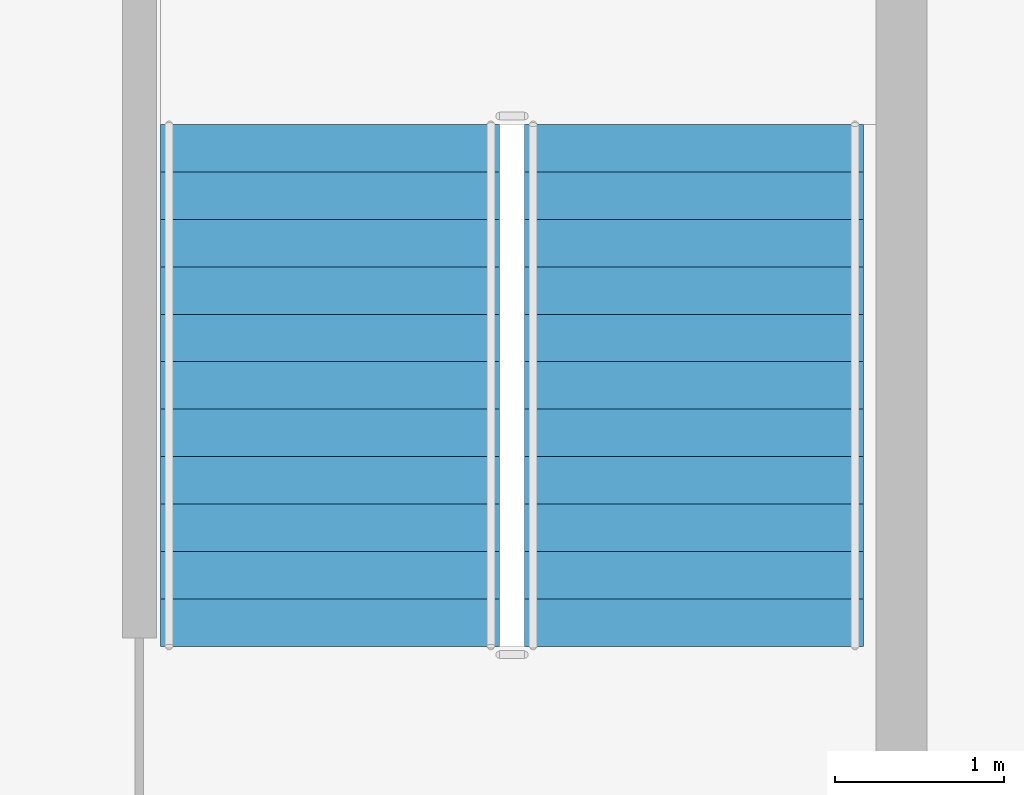
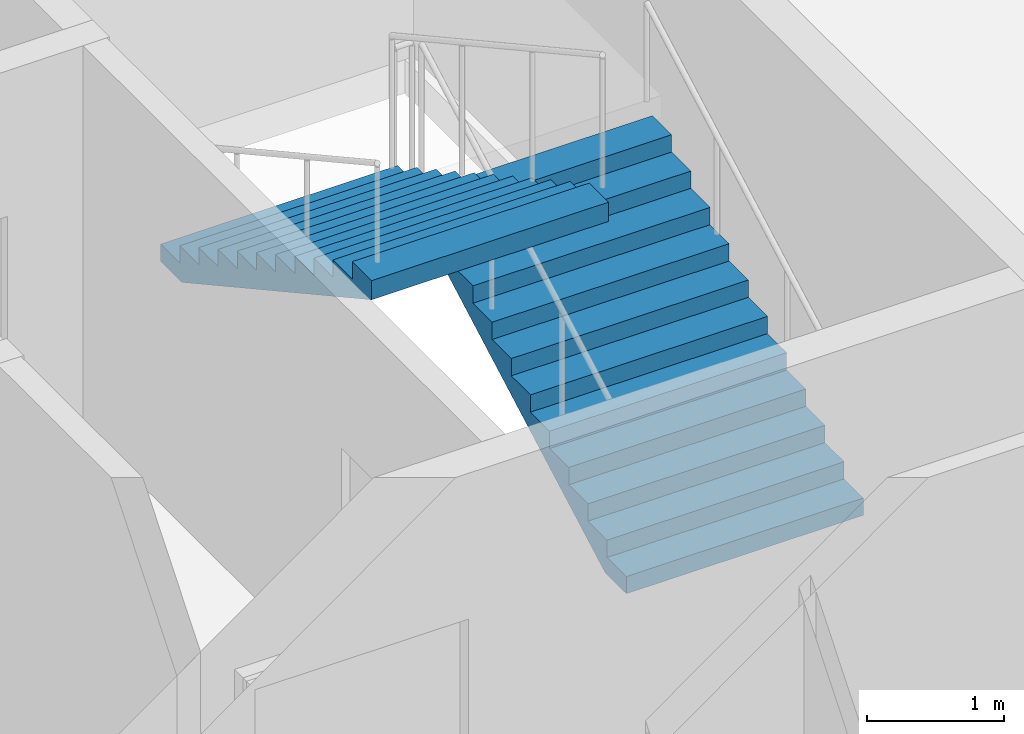
# One storey, part 8 of 11: 2 stair flights, 1 element without a shape of its own.
"""IFC4 building model written with IfcOpenShell, lengths in metres."""

from ifc_helpers import new_model, si_unit, direction, frame, origin, place, context, subcontext, project, spatial, polygons, material, type_object, element, aggregate, save


model = new_model("IFC4")

# Units and contexts
model_context = context("Model", 3, precision=1e-05, world=origin(), true_north=direction((0.0, 1.0)))
body_context = subcontext(model_context, "Body", "Model", "MODEL_VIEW")
ifc_project = project(units=[si_unit("LENGTHUNIT", "METRE"), si_unit("AREAUNIT", "SQUARE_METRE"), si_unit("VOLUMEUNIT", "CUBIC_METRE"), si_unit("PLANEANGLEUNIT", "RADIAN"), si_unit("MASSUNIT", "GRAM", prefix="KILO")], contexts=[model_context])

# Site, building, storey
site_placement = place(None, origin())
site = spatial("IfcSite", under=ifc_project, at=site_placement, CompositionType="ELEMENT")
building_placement = place(site_placement, origin())
building = spatial("IfcBuilding", under=site, at=building_placement, Name="Caravel Reach Hotel and Residences", CompositionType="ELEMENT")
storey_placement = place(building_placement, frame((0.0, 0.0, 287.10009765625)))
storey = spatial("IfcBuildingStorey", under=building, at=storey_placement, Name="L73", CompositionType="ELEMENT", Elevation=287.10009765625)

# Stair, stair flights
ifc_material_1 = material(Name="Concrete C40", Category="concrete")
stair_type = type_object("IfcStairType", Name="Core stair", PredefinedType="HALF_TURN_STAIR", material=ifc_material_1)
stair_placement = place(storey_placement, origin())
stair = element("IfcStair", 1, at=stair_placement, inside=storey, type_object=stair_type, Name="L73 Exit stair B", PredefinedType="HALF_TURN_STAIR")
ifc_material_2 = material(Name="Concrete C40", Category="concrete")
stair_flight_type = type_object("IfcStairFlightType", Name="Core stair flight", PredefinedType="STRAIGHT", material=ifc_material_2)
stair_flight_1_placement = place(storey_placement, frame((43.77490234375, 24.64990234375, 0.0), z_axis=(0.0, 0.0, 1.0), x_axis=(0.0, 1.0, 0.0)))
stair_flight_1 = element("IfcStairFlight", 2, at=stair_flight_1_placement, type_object=stair_flight_type, Name="ST-B flight 1", NumberOfRisers=12, NumberOfTreads=11, PredefinedType="STRAIGHT", RiserHeight=0.154166667, TreadLength=0.28, context=body_context, shape_type="Tessellation", body=[
    polygons([(0.3107950034306102, 1.0, 0.0), (0.3107950034306102, 0.6666666666666667, 0.0), (0.3107950034306102, 0.33333333333333337, 0.0), (0.3107950034306102, 0.0, 0.0), (0.3107950034306102, -0.33333333333333326, 0.0), (0.3107950034306102, -0.6666666666666667, 0.0), (0.3107950034306102, -1.0, 0.0), (3.081, 1.0, 1.524711087717319), (3.081, 0.6666666666666667, 1.524711087717319), (3.081, 0.33333333333333337, 1.524711087717319), (3.081, 0.0, 1.524711087717319), (3.081, -0.33333333333333326, 1.524711087717319), (3.081, -0.6666666666666667, 1.524711087717319), (3.081, -1.0, 1.524711087717319), (3.081, 1.0, 1.695833337), (3.081, 0.6666666666666667, 1.695833337), (3.081, 0.33333333333333337, 1.695833337), (3.081, 0.0, 1.695833337), (3.081, -0.33333333333333326, 1.695833337), (3.081, -0.6666666666666667, 1.695833337), (3.081, -1.0, 1.695833337), (2.8000000000000003, 1.0, 1.695833337), (2.8000000000000003, 0.6666666666666667, 1.695833337), (2.8000000000000003, 0.33333333333333337, 1.695833337), (2.8000000000000003, 0.0, 1.695833337), (2.8000000000000003, -0.33333333333333326, 1.695833337), (2.8000000000000003, -0.6666666666666667, 1.695833337), (2.8000000000000003, -1.0, 1.695833337), (2.8000000000000003, 1.0, 1.5416666700000001), (2.8000000000000003, 0.6666666666666667, 1.5416666700000001), (2.8000000000000003, 0.33333333333333337, 1.5416666700000001), (2.8000000000000003, 0.0, 1.5416666700000001), (2.8000000000000003, -0.33333333333333326, 1.5416666700000001), (2.8000000000000003, -0.6666666666666667, 1.5416666700000001), (2.8000000000000003, -1.0, 1.5416666700000001), (2.5200000000000005, 1.0, 1.5416666700000001), (2.5200000000000005, 0.6666666666666667, 1.5416666700000001), (2.5200000000000005, 0.33333333333333337, 1.5416666700000001), (2.5200000000000005, 0.0, 1.5416666700000001), (2.5200000000000005, -0.33333333333333326, 1.5416666700000001), (2.5200000000000005, -0.6666666666666667, 1.5416666700000001), (2.5200000000000005, -1.0, 1.5416666700000001), (2.5200000000000005, 1.0, 1.387500003), (2.5200000000000005, 0.6666666666666667, 1.387500003), (2.5200000000000005, 0.33333333333333337, 1.387500003), (2.5200000000000005, 0.0, 1.387500003), (2.5200000000000005, -0.33333333333333326, 1.387500003), (2.5200000000000005, -0.6666666666666667, 1.387500003), (2.5200000000000005, -1.0, 1.387500003), (2.24, 1.0, 1.387500003), (2.24, 0.6666666666666667, 1.387500003), (2.24, 0.33333333333333337, 1.387500003), (2.24, 0.0, 1.387500003), (2.24, -0.33333333333333326, 1.387500003), (2.24, -0.6666666666666667, 1.387500003), (2.24, -1.0, 1.387500003), (2.24, 1.0, 1.233333336), (2.24, 0.6666666666666667, 1.233333336), (2.24, 0.33333333333333337, 1.233333336), (2.24, 0.0, 1.233333336), (2.24, -0.33333333333333326, 1.233333336), (2.24, -0.6666666666666667, 1.233333336), (2.24, -1.0, 1.233333336), (1.9600000000000002, 1.0, 1.233333336), (1.9600000000000002, 0.6666666666666667, 1.233333336), (1.9600000000000002, 0.33333333333333337, 1.233333336), (1.9600000000000002, 0.0, 1.233333336), (1.9600000000000002, -0.33333333333333326, 1.233333336), (1.9600000000000002, -0.6666666666666667, 1.233333336), (1.9600000000000002, -1.0, 1.233333336), (1.9600000000000002, 1.0, 1.0791666690000001), (1.9600000000000002, 0.6666666666666667, 1.0791666690000001), (1.9600000000000002, 0.33333333333333337, 1.0791666690000001), (1.9600000000000002, 0.0, 1.0791666690000001), (1.9600000000000002, -0.33333333333333326, 1.0791666690000001), (1.9600000000000002, -0.6666666666666667, 1.0791666690000001), (1.9600000000000002, -1.0, 1.0791666690000001), (1.6800000000000002, 1.0, 1.0791666690000001), (1.6800000000000002, 0.6666666666666667, 1.0791666690000001), (1.6800000000000002, 0.33333333333333337, 1.0791666690000001), (1.6800000000000002, 0.0, 1.0791666690000001), (1.6800000000000002, -0.33333333333333326, 1.0791666690000001), (1.6800000000000002, -0.6666666666666667, 1.0791666690000001), (1.6800000000000002, -1.0, 1.0791666690000001), (1.6800000000000002, 1.0, 0.925000002), (1.6800000000000002, 0.6666666666666667, 0.925000002), (1.6800000000000002, 0.33333333333333337, 0.925000002), (1.6800000000000002, 0.0, 0.925000002), (1.6800000000000002, -0.33333333333333326, 0.925000002), (1.6800000000000002, -0.6666666666666667, 0.925000002), (1.6800000000000002, -1.0, 0.925000002), (1.4000000000000001, 1.0, 0.925000002), (1.4000000000000001, 0.6666666666666667, 0.925000002), (1.4000000000000001, 0.33333333333333337, 0.925000002), (1.4000000000000001, 0.0, 0.925000002), (1.4000000000000001, -0.33333333333333326, 0.925000002), (1.4000000000000001, -0.6666666666666667, 0.925000002), (1.4000000000000001, -1.0, 0.925000002), (1.4000000000000001, 1.0, 0.7708333350000001), (1.4000000000000001, 0.6666666666666667, 0.7708333350000001), (1.4000000000000001, 0.33333333333333337, 0.7708333350000001), (1.4000000000000001, 0.0, 0.7708333350000001), (1.4000000000000001, -0.33333333333333326, 0.7708333350000001), (1.4000000000000001, -0.6666666666666667, 0.7708333350000001), (1.4000000000000001, -1.0, 0.7708333350000001), (1.12, 1.0, 0.7708333350000001), (1.12, 0.6666666666666667, 0.7708333350000001), (1.12, 0.33333333333333337, 0.7708333350000001), (1.12, 0.0, 0.7708333350000001), (1.12, -0.33333333333333326, 0.7708333350000001), (1.12, -0.6666666666666667, 0.7708333350000001), (1.12, -1.0, 0.7708333350000001), (1.12, 1.0, 0.616666668), (1.12, 0.6666666666666667, 0.616666668), (1.12, 0.33333333333333337, 0.616666668), (1.12, 0.0, 0.616666668), (1.12, -0.33333333333333326, 0.616666668), (1.12, -0.6666666666666667, 0.616666668), (1.12, -1.0, 0.616666668), (0.8400000000000001, 1.0, 0.616666668), (0.8400000000000001, 0.6666666666666667, 0.616666668), (0.8400000000000001, 0.33333333333333337, 0.616666668), (0.8400000000000001, 0.0, 0.616666668), (0.8400000000000001, -0.33333333333333326, 0.616666668), (0.8400000000000001, -0.6666666666666667, 0.616666668), (0.8400000000000001, -1.0, 0.616666668), (0.8400000000000001, 1.0, 0.462500001), (0.8400000000000001, 0.6666666666666667, 0.462500001), (0.8400000000000001, 0.33333333333333337, 0.462500001), (0.8400000000000001, 0.0, 0.462500001), (0.8400000000000001, -0.33333333333333326, 0.462500001), (0.8400000000000001, -0.6666666666666667, 0.462500001), (0.8400000000000001, -1.0, 0.462500001), (0.56, 1.0, 0.462500001), (0.56, 0.6666666666666667, 0.462500001), (0.56, 0.33333333333333337, 0.462500001), (0.56, 0.0, 0.462500001), (0.56, -0.33333333333333326, 0.462500001), (0.56, -0.6666666666666667, 0.462500001), (0.56, -1.0, 0.462500001), (0.56, 1.0, 0.308333334), (0.56, 0.6666666666666667, 0.308333334), (0.56, 0.33333333333333337, 0.308333334), (0.56, 0.0, 0.308333334), (0.56, -0.33333333333333326, 0.308333334), (0.56, -0.6666666666666667, 0.308333334), (0.56, -1.0, 0.308333334), (0.28, 1.0, 0.308333334), (0.28, 0.6666666666666667, 0.308333334), (0.28, 0.33333333333333337, 0.308333334), (0.28, 0.0, 0.308333334), (0.28, -0.33333333333333326, 0.308333334), (0.28, -0.6666666666666667, 0.308333334), (0.28, -1.0, 0.308333334), (0.28, 1.0, 0.154166667), (0.28, 0.6666666666666667, 0.154166667), (0.28, 0.33333333333333337, 0.154166667), (0.28, 0.0, 0.154166667), (0.28, -0.33333333333333326, 0.154166667), (0.28, -0.6666666666666667, 0.154166667), (0.28, -1.0, 0.154166667), (-0.001, 1.0, 0.154166667), (-0.001, 0.6666666666666667, 0.154166667), (-0.001, 0.33333333333333337, 0.154166667), (-0.001, 0.0, 0.154166667), (-0.001, -0.33333333333333326, 0.154166667), (-0.001, -0.6666666666666667, 0.154166667), (-0.001, -1.0, 0.154166667), (-0.001, 1.0, 0.0), (-0.001, 0.6666666666666667, 0.0), (-0.001, 0.33333333333333337, 0.0), (-0.001, 0.0, 0.0), (-0.001, -0.33333333333333326, 0.0), (-0.001, -0.6666666666666667, 0.0), (-0.001, -1.0, 0.0)], [[[169, 162, 155, 148, 141, 134, 127, 120, 113, 106, 99, 92, 85, 78, 71, 64, 57, 50, 43, 36, 29, 22, 15, 8, 1]], [[7, 14, 21, 28, 35, 42, 49, 56, 63, 70, 77, 84, 91, 98, 105, 112, 119, 126, 133, 140, 147, 154, 161, 168, 175]], [[1, 8, 9, 2]], [[2, 9, 10, 3]], [[3, 10, 11, 4]], [[4, 11, 12, 5]], [[5, 12, 13, 6]], [[6, 13, 14, 7]], [[8, 15, 16, 9]], [[9, 16, 17, 10]], [[10, 17, 18, 11]], [[11, 18, 19, 12]], [[12, 19, 20, 13]], [[13, 20, 21, 14]], [[15, 22, 23, 16]], [[16, 23, 24, 17]], [[17, 24, 25, 18]], [[18, 25, 26, 19]], [[19, 26, 27, 20]], [[20, 27, 28, 21]], [[22, 29, 30, 23]], [[23, 30, 31, 24]], [[24, 31, 32, 25]], [[25, 32, 33, 26]], [[26, 33, 34, 27]], [[27, 34, 35, 28]], [[29, 36, 37, 30]], [[30, 37, 38, 31]], [[31, 38, 39, 32]], [[32, 39, 40, 33]], [[33, 40, 41, 34]], [[34, 41, 42, 35]], [[36, 43, 44, 37]], [[37, 44, 45, 38]], [[38, 45, 46, 39]], [[39, 46, 47, 40]], [[40, 47, 48, 41]], [[41, 48, 49, 42]], [[43, 50, 51, 44]], [[44, 51, 52, 45]], [[45, 52, 53, 46]], [[46, 53, 54, 47]], [[47, 54, 55, 48]], [[48, 55, 56, 49]], [[50, 57, 58, 51]], [[51, 58, 59, 52]], [[52, 59, 60, 53]], [[53, 60, 61, 54]], [[54, 61, 62, 55]], [[55, 62, 63, 56]], [[57, 64, 65, 58]], [[58, 65, 66, 59]], [[59, 66, 67, 60]], [[60, 67, 68, 61]], [[61, 68, 69, 62]], [[62, 69, 70, 63]], [[64, 71, 72, 65]], [[65, 72, 73, 66]], [[66, 73, 74, 67]], [[67, 74, 75, 68]], [[68, 75, 76, 69]], [[69, 76, 77, 70]], [[71, 78, 79, 72]], [[72, 79, 80, 73]], [[73, 80, 81, 74]], [[74, 81, 82, 75]], [[75, 82, 83, 76]], [[76, 83, 84, 77]], [[78, 85, 86, 79]], [[79, 86, 87, 80]], [[80, 87, 88, 81]], [[81, 88, 89, 82]], [[82, 89, 90, 83]], [[83, 90, 91, 84]], [[85, 92, 93, 86]], [[86, 93, 94, 87]], [[87, 94, 95, 88]], [[88, 95, 96, 89]], [[89, 96, 97, 90]], [[90, 97, 98, 91]], [[92, 99, 100, 93]], [[93, 100, 101, 94]], [[94, 101, 102, 95]], [[95, 102, 103, 96]], [[96, 103, 104, 97]], [[97, 104, 105, 98]], [[99, 106, 107, 100]], [[100, 107, 108, 101]], [[101, 108, 109, 102]], [[102, 109, 110, 103]], [[103, 110, 111, 104]], [[104, 111, 112, 105]], [[106, 113, 114, 107]], [[107, 114, 115, 108]], [[108, 115, 116, 109]], [[109, 116, 117, 110]], [[110, 117, 118, 111]], [[111, 118, 119, 112]], [[113, 120, 121, 114]], [[114, 121, 122, 115]], [[115, 122, 123, 116]], [[116, 123, 124, 117]], [[117, 124, 125, 118]], [[118, 125, 126, 119]], [[120, 127, 128, 121]], [[121, 128, 129, 122]], [[122, 129, 130, 123]], [[123, 130, 131, 124]], [[124, 131, 132, 125]], [[125, 132, 133, 126]], [[127, 134, 135, 128]], [[128, 135, 136, 129]], [[129, 136, 137, 130]], [[130, 137, 138, 131]], [[131, 138, 139, 132]], [[132, 139, 140, 133]], [[134, 141, 142, 135]], [[135, 142, 143, 136]], [[136, 143, 144, 137]], [[137, 144, 145, 138]], [[138, 145, 146, 139]], [[139, 146, 147, 140]], [[141, 148, 149, 142]], [[142, 149, 150, 143]], [[143, 150, 151, 144]], [[144, 151, 152, 145]], [[145, 152, 153, 146]], [[146, 153, 154, 147]], [[148, 155, 156, 149]], [[149, 156, 157, 150]], [[150, 157, 158, 151]], [[151, 158, 159, 152]], [[152, 159, 160, 153]], [[153, 160, 161, 154]], [[155, 162, 163, 156]], [[156, 163, 164, 157]], [[157, 164, 165, 158]], [[158, 165, 166, 159]], [[159, 166, 167, 160]], [[160, 167, 168, 161]], [[162, 169, 170, 163]], [[163, 170, 171, 164]], [[164, 171, 172, 165]], [[165, 172, 173, 166]], [[166, 173, 174, 167]], [[167, 174, 175, 168]], [[169, 1, 2, 170]], [[170, 2, 3, 171]], [[171, 3, 4, 172]], [[172, 4, 5, 173]], [[173, 5, 6, 174]], [[174, 6, 7, 175]]], closed=True),
])
stair_flight_2_placement = place(storey_placement, frame((41.625, 27.72998046875, 1.849853515625), z_axis=(0.0, 0.0, 1.0), x_axis=(0.0, -1.0, 0.0)))
stair_flight_2 = element("IfcStairFlight", 3, at=stair_flight_2_placement, type_object=stair_flight_type, Name="ST-B flight 2", NumberOfRisers=12, NumberOfTreads=11, PredefinedType="STRAIGHT", RiserHeight=0.154166667, TreadLength=0.28, context=body_context, shape_type="Tessellation", body=[
    polygons([(0.3107950034306102, 1.0, 0.0), (0.3107950034306102, 0.6666666666666667, 0.0), (0.3107950034306102, 0.33333333333333337, 0.0), (0.3107950034306102, 0.0, 0.0), (0.3107950034306102, -0.33333333333333326, 0.0), (0.3107950034306102, -0.6666666666666667, 0.0), (0.3107950034306102, -1.0, 0.0), (3.081, 1.0, 1.524711087717319), (3.081, 0.6666666666666667, 1.524711087717319), (3.081, 0.33333333333333337, 1.524711087717319), (3.081, 0.0, 1.524711087717319), (3.081, -0.33333333333333326, 1.524711087717319), (3.081, -0.6666666666666667, 1.524711087717319), (3.081, -1.0, 1.524711087717319), (3.081, 1.0, 1.695833337), (3.081, 0.6666666666666667, 1.695833337), (3.081, 0.33333333333333337, 1.695833337), (3.081, 0.0, 1.695833337), (3.081, -0.33333333333333326, 1.695833337), (3.081, -0.6666666666666667, 1.695833337), (3.081, -1.0, 1.695833337), (2.8000000000000003, 1.0, 1.695833337), (2.8000000000000003, 0.6666666666666667, 1.695833337), (2.8000000000000003, 0.33333333333333337, 1.695833337), (2.8000000000000003, 0.0, 1.695833337), (2.8000000000000003, -0.33333333333333326, 1.695833337), (2.8000000000000003, -0.6666666666666667, 1.695833337), (2.8000000000000003, -1.0, 1.695833337), (2.8000000000000003, 1.0, 1.5416666700000001), (2.8000000000000003, 0.6666666666666667, 1.5416666700000001), (2.8000000000000003, 0.33333333333333337, 1.5416666700000001), (2.8000000000000003, 0.0, 1.5416666700000001), (2.8000000000000003, -0.33333333333333326, 1.5416666700000001), (2.8000000000000003, -0.6666666666666667, 1.5416666700000001), (2.8000000000000003, -1.0, 1.5416666700000001), (2.5200000000000005, 1.0, 1.5416666700000001), (2.5200000000000005, 0.6666666666666667, 1.5416666700000001), (2.5200000000000005, 0.33333333333333337, 1.5416666700000001), (2.5200000000000005, 0.0, 1.5416666700000001), (2.5200000000000005, -0.33333333333333326, 1.5416666700000001), (2.5200000000000005, -0.6666666666666667, 1.5416666700000001), (2.5200000000000005, -1.0, 1.5416666700000001), (2.5200000000000005, 1.0, 1.387500003), (2.5200000000000005, 0.6666666666666667, 1.387500003), (2.5200000000000005, 0.33333333333333337, 1.387500003), (2.5200000000000005, 0.0, 1.387500003), (2.5200000000000005, -0.33333333333333326, 1.387500003), (2.5200000000000005, -0.6666666666666667, 1.387500003), (2.5200000000000005, -1.0, 1.387500003), (2.24, 1.0, 1.387500003), (2.24, 0.6666666666666667, 1.387500003), (2.24, 0.33333333333333337, 1.387500003), (2.24, 0.0, 1.387500003), (2.24, -0.33333333333333326, 1.387500003), (2.24, -0.6666666666666667, 1.387500003), (2.24, -1.0, 1.387500003), (2.24, 1.0, 1.233333336), (2.24, 0.6666666666666667, 1.233333336), (2.24, 0.33333333333333337, 1.233333336), (2.24, 0.0, 1.233333336), (2.24, -0.33333333333333326, 1.233333336), (2.24, -0.6666666666666667, 1.233333336), (2.24, -1.0, 1.233333336), (1.9600000000000002, 1.0, 1.233333336), (1.9600000000000002, 0.6666666666666667, 1.233333336), (1.9600000000000002, 0.33333333333333337, 1.233333336), (1.9600000000000002, 0.0, 1.233333336), (1.9600000000000002, -0.33333333333333326, 1.233333336), (1.9600000000000002, -0.6666666666666667, 1.233333336), (1.9600000000000002, -1.0, 1.233333336), (1.9600000000000002, 1.0, 1.0791666690000001), (1.9600000000000002, 0.6666666666666667, 1.0791666690000001), (1.9600000000000002, 0.33333333333333337, 1.0791666690000001), (1.9600000000000002, 0.0, 1.0791666690000001), (1.9600000000000002, -0.33333333333333326, 1.0791666690000001), (1.9600000000000002, -0.6666666666666667, 1.0791666690000001), (1.9600000000000002, -1.0, 1.0791666690000001), (1.6800000000000002, 1.0, 1.0791666690000001), (1.6800000000000002, 0.6666666666666667, 1.0791666690000001), (1.6800000000000002, 0.33333333333333337, 1.0791666690000001), (1.6800000000000002, 0.0, 1.0791666690000001), (1.6800000000000002, -0.33333333333333326, 1.0791666690000001), (1.6800000000000002, -0.6666666666666667, 1.0791666690000001), (1.6800000000000002, -1.0, 1.0791666690000001), (1.6800000000000002, 1.0, 0.925000002), (1.6800000000000002, 0.6666666666666667, 0.925000002), (1.6800000000000002, 0.33333333333333337, 0.925000002), (1.6800000000000002, 0.0, 0.925000002), (1.6800000000000002, -0.33333333333333326, 0.925000002), (1.6800000000000002, -0.6666666666666667, 0.925000002), (1.6800000000000002, -1.0, 0.925000002), (1.4000000000000001, 1.0, 0.925000002), (1.4000000000000001, 0.6666666666666667, 0.925000002), (1.4000000000000001, 0.33333333333333337, 0.925000002), (1.4000000000000001, 0.0, 0.925000002), (1.4000000000000001, -0.33333333333333326, 0.925000002), (1.4000000000000001, -0.6666666666666667, 0.925000002), (1.4000000000000001, -1.0, 0.925000002), (1.4000000000000001, 1.0, 0.7708333350000001), (1.4000000000000001, 0.6666666666666667, 0.7708333350000001), (1.4000000000000001, 0.33333333333333337, 0.7708333350000001), (1.4000000000000001, 0.0, 0.7708333350000001), (1.4000000000000001, -0.33333333333333326, 0.7708333350000001), (1.4000000000000001, -0.6666666666666667, 0.7708333350000001), (1.4000000000000001, -1.0, 0.7708333350000001), (1.12, 1.0, 0.7708333350000001), (1.12, 0.6666666666666667, 0.7708333350000001), (1.12, 0.33333333333333337, 0.7708333350000001), (1.12, 0.0, 0.7708333350000001), (1.12, -0.33333333333333326, 0.7708333350000001), (1.12, -0.6666666666666667, 0.7708333350000001), (1.12, -1.0, 0.7708333350000001), (1.12, 1.0, 0.616666668), (1.12, 0.6666666666666667, 0.616666668), (1.12, 0.33333333333333337, 0.616666668), (1.12, 0.0, 0.616666668), (1.12, -0.33333333333333326, 0.616666668), (1.12, -0.6666666666666667, 0.616666668), (1.12, -1.0, 0.616666668), (0.8400000000000001, 1.0, 0.616666668), (0.8400000000000001, 0.6666666666666667, 0.616666668), (0.8400000000000001, 0.33333333333333337, 0.616666668), (0.8400000000000001, 0.0, 0.616666668), (0.8400000000000001, -0.33333333333333326, 0.616666668), (0.8400000000000001, -0.6666666666666667, 0.616666668), (0.8400000000000001, -1.0, 0.616666668), (0.8400000000000001, 1.0, 0.462500001), (0.8400000000000001, 0.6666666666666667, 0.462500001), (0.8400000000000001, 0.33333333333333337, 0.462500001), (0.8400000000000001, 0.0, 0.462500001), (0.8400000000000001, -0.33333333333333326, 0.462500001), (0.8400000000000001, -0.6666666666666667, 0.462500001), (0.8400000000000001, -1.0, 0.462500001), (0.56, 1.0, 0.462500001), (0.56, 0.6666666666666667, 0.462500001), (0.56, 0.33333333333333337, 0.462500001), (0.56, 0.0, 0.462500001), (0.56, -0.33333333333333326, 0.462500001), (0.56, -0.6666666666666667, 0.462500001), (0.56, -1.0, 0.462500001), (0.56, 1.0, 0.308333334), (0.56, 0.6666666666666667, 0.308333334), (0.56, 0.33333333333333337, 0.308333334), (0.56, 0.0, 0.308333334), (0.56, -0.33333333333333326, 0.308333334), (0.56, -0.6666666666666667, 0.308333334), (0.56, -1.0, 0.308333334), (0.28, 1.0, 0.308333334), (0.28, 0.6666666666666667, 0.308333334), (0.28, 0.33333333333333337, 0.308333334), (0.28, 0.0, 0.308333334), (0.28, -0.33333333333333326, 0.308333334), (0.28, -0.6666666666666667, 0.308333334), (0.28, -1.0, 0.308333334), (0.28, 1.0, 0.154166667), (0.28, 0.6666666666666667, 0.154166667), (0.28, 0.33333333333333337, 0.154166667), (0.28, 0.0, 0.154166667), (0.28, -0.33333333333333326, 0.154166667), (0.28, -0.6666666666666667, 0.154166667), (0.28, -1.0, 0.154166667), (-0.001, 1.0, 0.154166667), (-0.001, 0.6666666666666667, 0.154166667), (-0.001, 0.33333333333333337, 0.154166667), (-0.001, 0.0, 0.154166667), (-0.001, -0.33333333333333326, 0.154166667), (-0.001, -0.6666666666666667, 0.154166667), (-0.001, -1.0, 0.154166667), (-0.001, 1.0, 0.0), (-0.001, 0.6666666666666667, 0.0), (-0.001, 0.33333333333333337, 0.0), (-0.001, 0.0, 0.0), (-0.001, -0.33333333333333326, 0.0), (-0.001, -0.6666666666666667, 0.0), (-0.001, -1.0, 0.0)], [[[169, 162, 155, 148, 141, 134, 127, 120, 113, 106, 99, 92, 85, 78, 71, 64, 57, 50, 43, 36, 29, 22, 15, 8, 1]], [[7, 14, 21, 28, 35, 42, 49, 56, 63, 70, 77, 84, 91, 98, 105, 112, 119, 126, 133, 140, 147, 154, 161, 168, 175]], [[1, 8, 9, 2]], [[2, 9, 10, 3]], [[3, 10, 11, 4]], [[4, 11, 12, 5]], [[5, 12, 13, 6]], [[6, 13, 14, 7]], [[8, 15, 16, 9]], [[9, 16, 17, 10]], [[10, 17, 18, 11]], [[11, 18, 19, 12]], [[12, 19, 20, 13]], [[13, 20, 21, 14]], [[15, 22, 23, 16]], [[16, 23, 24, 17]], [[17, 24, 25, 18]], [[18, 25, 26, 19]], [[19, 26, 27, 20]], [[20, 27, 28, 21]], [[22, 29, 30, 23]], [[23, 30, 31, 24]], [[24, 31, 32, 25]], [[25, 32, 33, 26]], [[26, 33, 34, 27]], [[27, 34, 35, 28]], [[29, 36, 37, 30]], [[30, 37, 38, 31]], [[31, 38, 39, 32]], [[32, 39, 40, 33]], [[33, 40, 41, 34]], [[34, 41, 42, 35]], [[36, 43, 44, 37]], [[37, 44, 45, 38]], [[38, 45, 46, 39]], [[39, 46, 47, 40]], [[40, 47, 48, 41]], [[41, 48, 49, 42]], [[43, 50, 51, 44]], [[44, 51, 52, 45]], [[45, 52, 53, 46]], [[46, 53, 54, 47]], [[47, 54, 55, 48]], [[48, 55, 56, 49]], [[50, 57, 58, 51]], [[51, 58, 59, 52]], [[52, 59, 60, 53]], [[53, 60, 61, 54]], [[54, 61, 62, 55]], [[55, 62, 63, 56]], [[57, 64, 65, 58]], [[58, 65, 66, 59]], [[59, 66, 67, 60]], [[60, 67, 68, 61]], [[61, 68, 69, 62]], [[62, 69, 70, 63]], [[64, 71, 72, 65]], [[65, 72, 73, 66]], [[66, 73, 74, 67]], [[67, 74, 75, 68]], [[68, 75, 76, 69]], [[69, 76, 77, 70]], [[71, 78, 79, 72]], [[72, 79, 80, 73]], [[73, 80, 81, 74]], [[74, 81, 82, 75]], [[75, 82, 83, 76]], [[76, 83, 84, 77]], [[78, 85, 86, 79]], [[79, 86, 87, 80]], [[80, 87, 88, 81]], [[81, 88, 89, 82]], [[82, 89, 90, 83]], [[83, 90, 91, 84]], [[85, 92, 93, 86]], [[86, 93, 94, 87]], [[87, 94, 95, 88]], [[88, 95, 96, 89]], [[89, 96, 97, 90]], [[90, 97, 98, 91]], [[92, 99, 100, 93]], [[93, 100, 101, 94]], [[94, 101, 102, 95]], [[95, 102, 103, 96]], [[96, 103, 104, 97]], [[97, 104, 105, 98]], [[99, 106, 107, 100]], [[100, 107, 108, 101]], [[101, 108, 109, 102]], [[102, 109, 110, 103]], [[103, 110, 111, 104]], [[104, 111, 112, 105]], [[106, 113, 114, 107]], [[107, 114, 115, 108]], [[108, 115, 116, 109]], [[109, 116, 117, 110]], [[110, 117, 118, 111]], [[111, 118, 119, 112]], [[113, 120, 121, 114]], [[114, 121, 122, 115]], [[115, 122, 123, 116]], [[116, 123, 124, 117]], [[117, 124, 125, 118]], [[118, 125, 126, 119]], [[120, 127, 128, 121]], [[121, 128, 129, 122]], [[122, 129, 130, 123]], [[123, 130, 131, 124]], [[124, 131, 132, 125]], [[125, 132, 133, 126]], [[127, 134, 135, 128]], [[128, 135, 136, 129]], [[129, 136, 137, 130]], [[130, 137, 138, 131]], [[131, 138, 139, 132]], [[132, 139, 140, 133]], [[134, 141, 142, 135]], [[135, 142, 143, 136]], [[136, 143, 144, 137]], [[137, 144, 145, 138]], [[138, 145, 146, 139]], [[139, 146, 147, 140]], [[141, 148, 149, 142]], [[142, 149, 150, 143]], [[143, 150, 151, 144]], [[144, 151, 152, 145]], [[145, 152, 153, 146]], [[146, 153, 154, 147]], [[148, 155, 156, 149]], [[149, 156, 157, 150]], [[150, 157, 158, 151]], [[151, 158, 159, 152]], [[152, 159, 160, 153]], [[153, 160, 161, 154]], [[155, 162, 163, 156]], [[156, 163, 164, 157]], [[157, 164, 165, 158]], [[158, 165, 166, 159]], [[159, 166, 167, 160]], [[160, 167, 168, 161]], [[162, 169, 170, 163]], [[163, 170, 171, 164]], [[164, 171, 172, 165]], [[165, 172, 173, 166]], [[166, 173, 174, 167]], [[167, 174, 175, 168]], [[169, 1, 2, 170]], [[170, 2, 3, 171]], [[171, 3, 4, 172]], [[172, 4, 5, 173]], [[173, 5, 6, 174]], [[174, 6, 7, 175]]], closed=True),
])
aggregate(stair, [stair_flight_1, stair_flight_2])

save(model, "model.ifc")
